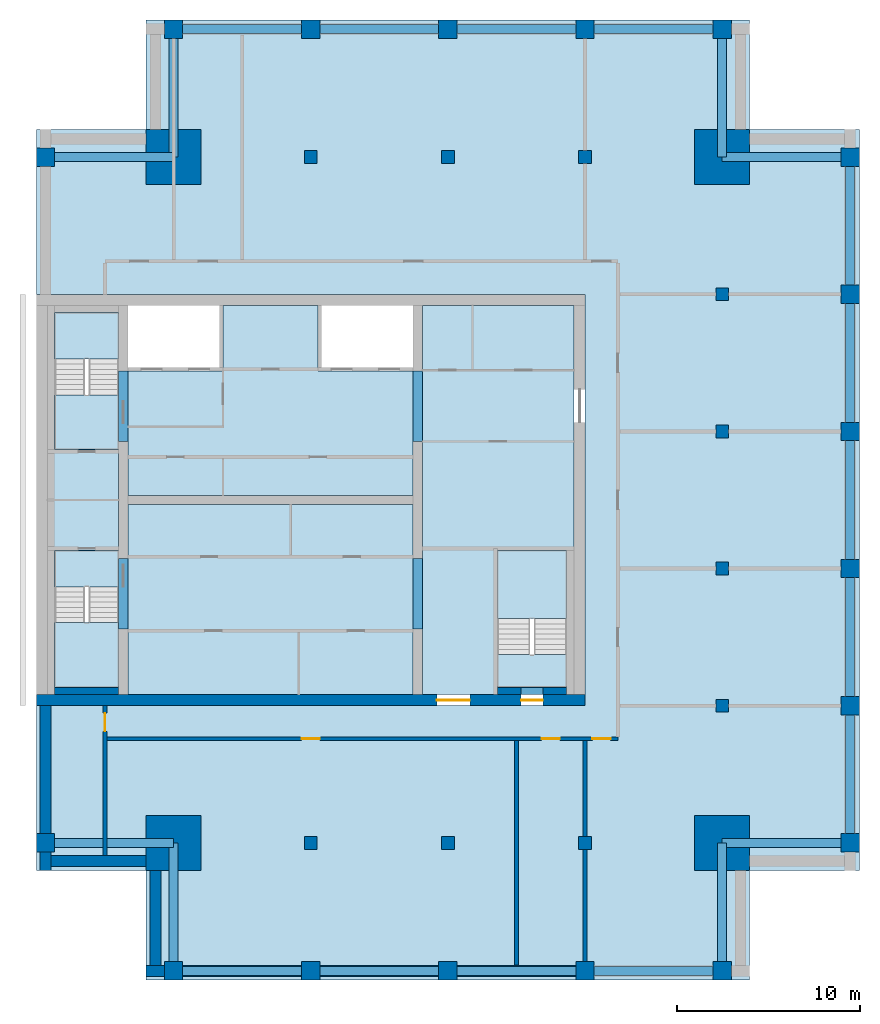
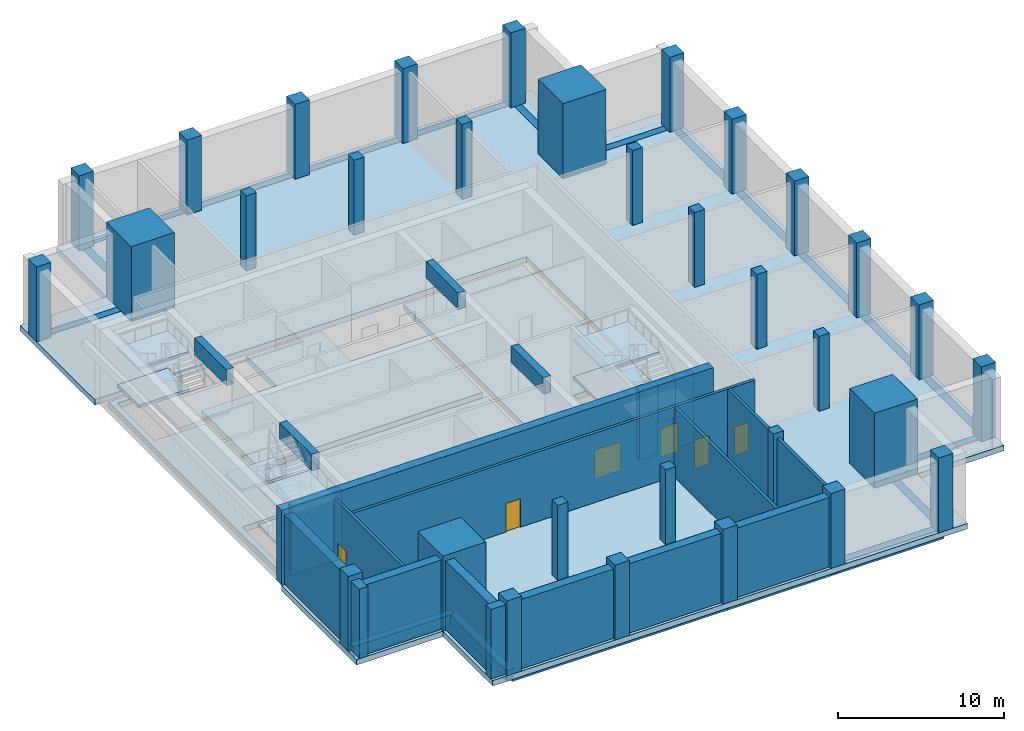
# One storey, part 1 of 8: 32 columns, 26 beams, 17 walls, 14 slabs, 6 doors, 6 openings, 3 elements without a shape of their own.
"""IFC4 building model written with IfcOpenShell, lengths in metres."""

from ifc_helpers import new_model, si_unit, direction, frame, frame_2d, origin, origin_2d, place, context, subcontext, project, spatial, polyline, rectangle, outline, extrude, material, layer, layer_set, material_profile, profile_set, type_object, element, fill, aggregate, save


model = new_model("IFC4")

# Units and contexts
model_context = context("Model", 3, precision=1e-05, world=origin(), true_north=direction((0.0, 1.0)))
body_context = subcontext(model_context, "Body", "Model", "MODEL_VIEW")
ifc_project = project(units=[si_unit("LENGTHUNIT", "METRE"), si_unit("AREAUNIT", "SQUARE_METRE"), si_unit("VOLUMEUNIT", "CUBIC_METRE"), si_unit("PLANEANGLEUNIT", "RADIAN"), si_unit("MASSUNIT", "GRAM", prefix="KILO")], contexts=[model_context])

# Site, building, storey
site_placement = place(None, origin())
site = spatial("IfcSite", under=ifc_project, at=site_placement, CompositionType="ELEMENT")
building_placement = place(site_placement, origin())
building = spatial("IfcBuilding", under=site, at=building_placement, Name="Tamorin Gate", CompositionType="ELEMENT")
storey_placement = place(building_placement, frame((0.0, 0.0, 314.699951171875)))
storey = spatial("IfcBuildingStorey", under=building, at=storey_placement, Name="L77", CompositionType="ELEMENT", Elevation=314.699951171875)

# Columns
ifc_material_1 = material(Name="Concrete C50/60", Category="concrete")
ifc_material_profile_1 = material_profile(ifc_material_1, rectangle(XDim=1.0, YDim=1.0, at=origin_2d()), Name="RC 1000x1000")
ifc_profile_set_1 = profile_set([ifc_material_profile_1], Name="Concrete C50/60")
column_type_1 = type_object("IfcColumnType", Name="RC column 1000x1000 C50/60", PredefinedType="COLUMN", material=ifc_profile_set_1)
for number, where, z_axis, x_axis, name in (
    (1, (30.5, 52.5, 0.0), (0.0, 0.0, 1.0), (1.0, 0.0, 0.0), "Ring column L77"),
    (2, (30.5, 90.0, 0.0), (0.0, 0.0, 1.0), (1.0, 0.0, 0.0), "Ring column L77"),
    (3, (37.5, 45.5, 0.0), (0.0, 0.0, 1.0), (1.0, 0.0, 0.0), "Ring column L77"),
    (4, (37.5, 97.0, 0.0), (0.0, 0.0, 1.0), (1.0, 0.0, 0.0), "Ring column L77"),
    (5, (45.0, 45.5, 0.0), (0.0, 0.0, 1.0), (1.0, 0.0, 0.0), "Ring column L77"),
    (6, (45.0, 97.0, 0.0), (0.0, 0.0, 1.0), (1.0, 0.0, 0.0), "Ring column L77"),
    (7, (52.5, 45.5, 0.0), (0.0, 0.0, 1.0), (1.0, 0.0, 0.0), "Ring column L77"),
    (8, (52.5, 97.0, 0.0), (0.0, 0.0, 1.0), (1.0, 0.0, 0.0), "Ring column L77"),
    (9, (60.0, 45.5, 0.0), (0.0, 0.0, 1.0), (1.0, 0.0, 0.0), "Ring column L77"),
    (10, (60.0, 97.0, 0.0), (0.0, 0.0, 1.0), (1.0, 0.0, 0.0), "Ring column L77"),
    (11, (67.5, 45.5, 0.0), (0.0, 0.0, 1.0), (1.0, 0.0, 0.0), "Ring column L77"),
    (12, (67.5, 97.0, 0.0), (0.0, 0.0, 1.0), (1.0, 0.0, 0.0), "Ring column L77"),
    (13, (74.5, 52.5, 0.0), (0.0, 0.0, 1.0), (1.0, 0.0, 0.0), "Ring column L77"),
    (14, (74.5, 60.0, 0.0), (0.0, 0.0, 1.0), (1.0, 0.0, 0.0), "Ring column L77"),
    (15, (74.5, 67.5, 0.0), (0.0, 0.0, 1.0), (1.0, 0.0, 0.0), "Ring column L77"),
    (16, (74.5, 75.0, 0.0), (0.0, 0.0, 1.0), (1.0, 0.0, 0.0), "Ring column L77"),
    (17, (74.5, 82.5, 0.0), (0.0, 0.0, 1.0), (1.0, 0.0, 0.0), "Ring column L77"),
    (18, (74.5, 90.0, 0.0), (0.0, 0.0, 1.0), (1.0, 0.0, 0.0), "Ring column L77"),
):
    element("IfcColumn", number, at=place(storey_placement, frame(where, z_axis=z_axis, x_axis=x_axis)), inside=storey, type_object=column_type_1, Name=name, PredefinedType="COLUMN", context=body_context, shape_type="SweptSolid", body=[
        extrude(rectangle(XDim=1.0, YDim=1.0, at=origin_2d()), origin(), (0.0, 0.0, 1.0), 5.5),
    ])
ifc_material_profile_2 = material_profile(ifc_material_1, rectangle(XDim=3.0, YDim=3.0, at=origin_2d()), Name="RC 3000x3000")
ifc_profile_set_2 = profile_set([ifc_material_profile_2], Name="Concrete C50/60")
column_type_2 = type_object("IfcColumnType", Name="RC column 3000x3000 C50/60", PredefinedType="COLUMN", material=ifc_profile_set_2)
for number, where, z_axis, x_axis, name in (
    (19, (37.5, 52.5, 0.0), (0.0, 0.0, 1.0), (1.0, 0.0, 0.0), "Mega column SW L77"),
    (20, (67.5, 52.5, 0.0), (0.0, 0.0, 1.0), (1.0, 0.0, 0.0), "Mega column SE L77"),
    (21, (37.5, 90.0, 0.0), (0.0, 0.0, 1.0), (1.0, 0.0, 0.0), "Mega column NW L77"),
    (22, (67.5, 90.0, 0.0), (0.0, 0.0, 1.0), (1.0, 0.0, 0.0), "Mega column NE L77"),
):
    element("IfcColumn", number, at=place(storey_placement, frame(where, z_axis=z_axis, x_axis=x_axis)), inside=storey, type_object=column_type_2, Name=name, PredefinedType="COLUMN", context=body_context, shape_type="SweptSolid", body=[
        extrude(rectangle(XDim=3.0, YDim=3.0, at=origin_2d()), origin(), (0.0, 0.0, 1.0), 5.5),
    ])
ifc_material_profile_3 = material_profile(ifc_material_1, rectangle(XDim=0.699951171875, YDim=0.699951171875, at=origin_2d()), Name="RC 700x700")
ifc_profile_set_3 = profile_set([ifc_material_profile_3], Name="Concrete C50/60")
column_type_3 = type_object("IfcColumnType", Name="RC column 700x700 C50/60", PredefinedType="COLUMN", material=ifc_profile_set_3)
for number, where, z_axis, x_axis, name in (
    (23, (45.0, 52.5, 0.0), (0.0, 0.0, 1.0), (1.0, 0.0, 0.0), "Interior column L77"),
    (24, (45.0, 90.0, 0.0), (0.0, 0.0, 1.0), (1.0, 0.0, 0.0), "Interior column L77"),
    (25, (52.5, 52.5, 0.0), (0.0, 0.0, 1.0), (1.0, 0.0, 0.0), "Interior column L77"),
    (26, (52.5, 90.0, 0.0), (0.0, 0.0, 1.0), (1.0, 0.0, 0.0), "Interior column L77"),
    (27, (60.0, 52.5, 0.0), (0.0, 0.0, 1.0), (1.0, 0.0, 0.0), "Interior column L77"),
    (28, (60.0, 90.0, 0.0), (0.0, 0.0, 1.0), (1.0, 0.0, 0.0), "Interior column L77"),
    (29, (67.5, 60.0, 0.0), (0.0, 0.0, 1.0), (1.0, 0.0, 0.0), "Interior column L77"),
    (30, (67.5, 67.5, 0.0), (0.0, 0.0, 1.0), (1.0, 0.0, 0.0), "Interior column L77"),
    (31, (67.5, 75.0, 0.0), (0.0, 0.0, 1.0), (1.0, 0.0, 0.0), "Interior column L77"),
    (32, (67.5, 82.5, 0.0), (0.0, 0.0, 1.0), (1.0, 0.0, 0.0), "Interior column L77"),
):
    element("IfcColumn", number, at=place(storey_placement, frame(where, z_axis=z_axis, x_axis=x_axis)), inside=storey, type_object=column_type_3, Name=name, PredefinedType="COLUMN", context=body_context, shape_type="SweptSolid", body=[
        extrude(rectangle(XDim=0.699951171875, YDim=0.699951171875, at=origin_2d()), origin(), (0.0, 0.0, 1.0), 5.5),
    ])

# Beams
ifc_material_profile_4 = material_profile(ifc_material_1, rectangle(XDim=0.5, YDim=1.199951171875, at=origin_2d()), Name="RC 500x1200")
ifc_profile_set_4 = profile_set([ifc_material_profile_4], Name="Concrete C50/60")
beam_type_1 = type_object("IfcBeamType", Name="RC coupling beam 500x1200 C50/60", PredefinedType="BEAM", material=ifc_profile_set_4)
for number, where, z_axis, x_axis, name in (
    (33, (34.75, 64.199951171875, 4.900146484375), (0.0, 1.0, 0.0), (-1.0, 0.0, 0.0), "Coupling beam L77"),
    (34, (34.75, 74.449951171875, 4.900146484375), (0.0, 1.0, 0.0), (-1.0, 0.0, 0.0), "Coupling beam L77"),
    (35, (50.85009765625, 64.199951171875, 4.900146484375), (0.0, 1.0, 0.0), (-1.0, 0.0, 0.0), "Coupling beam L77"),
    (36, (50.85009765625, 74.449951171875, 4.900146484375), (0.0, 1.0, 0.0), (-1.0, 0.0, 0.0), "Coupling beam L77"),
):
    element("IfcBeam", number, at=place(storey_placement, frame(where, z_axis=z_axis, x_axis=x_axis)), inside=storey, type_object=beam_type_1, Name=name, PredefinedType="BEAM", context=body_context, shape_type="SweptSolid", body=[
        extrude(rectangle(XDim=0.5, YDim=1.199951171875, at=origin_2d()), origin(), (0.0, 0.0, 1.0), 3.85009765625),
    ])
ifc_material_profile_5 = material_profile(ifc_material_1, rectangle(XDim=0.5, YDim=0.75, at=origin_2d()), Name="RC 500x750")
ifc_profile_set_5 = profile_set([ifc_material_profile_5], Name="Concrete C50/60")
beam_type_2 = type_object("IfcBeamType", Name="RC spandrel 500x750 C50/60", PredefinedType="BEAM", material=ifc_profile_set_5)
for number, where, z_axis, x_axis, name in (
    (37, (37.5, 45.5, -0.375), (1.0, 0.0, 0.0), (0.0, 1.0, 0.0), "Spandrel beam L77"),
    (38, (45.0, 45.5, -0.375), (1.0, 0.0, 0.0), (0.0, 1.0, 0.0), "Spandrel beam L77"),
    (39, (52.5, 45.5, -0.375), (1.0, 0.0, 0.0), (0.0, 1.0, 0.0), "Spandrel beam L77"),
    (40, (60.0, 45.5, -0.375), (1.0, 0.0, 0.0), (0.0, 1.0, 0.0), "Spandrel beam L77"),
    (41, (74.5, 52.5, -0.375), (0.0, 1.0, 0.0), (-1.0, 0.0, 0.0), "Spandrel beam L77"),
    (42, (74.5, 60.0, -0.375), (0.0, 1.0, 0.0), (-1.0, 0.0, 0.0), "Spandrel beam L77"),
    (43, (74.5, 67.5, -0.375), (0.0, 1.0, 0.0), (-1.0, 0.0, 0.0), "Spandrel beam L77"),
    (44, (74.5, 75.0, -0.375), (0.0, 1.0, 0.0), (-1.0, 0.0, 0.0), "Spandrel beam L77"),
    (45, (74.5, 82.5, -0.375), (0.0, 1.0, 0.0), (-1.0, 0.0, 0.0), "Spandrel beam L77"),
    (46, (67.5, 97.0, -0.375), (-1.0, 0.0, 0.0), (0.0, -1.0, 0.0), "Spandrel beam L77"),
    (47, (60.0, 97.0, -0.375), (-1.0, 0.0, 0.0), (0.0, -1.0, 0.0), "Spandrel beam L77"),
    (48, (52.5, 97.0, -0.375), (-1.0, 0.0, 0.0), (0.0, -1.0, 0.0), "Spandrel beam L77"),
    (49, (45.0, 97.0, -0.375), (-1.0, 0.0, 0.0), (0.0, -1.0, 0.0), "Spandrel beam L77"),
):
    element("IfcBeam", number, at=place(storey_placement, frame(where, z_axis=z_axis, x_axis=x_axis)), inside=storey, type_object=beam_type_2, Name=name, PredefinedType="BEAM", context=body_context, shape_type="SweptSolid", body=[
        extrude(rectangle(XDim=0.5, YDim=0.75, at=origin_2d()), origin(), (0.0, 0.0, 1.0), 7.5),
    ])
for number, where, z_axis, x_axis, name in (
    (50, (37.5, 52.5, -0.375), (-1.0, 0.0, 0.0), (0.0, -1.0, 0.0), "Corner tie beam L77"),
    (51, (37.5, 52.5, -0.375), (0.0, -1.0, 0.0), (1.0, 0.0, 0.0), "Corner tie beam L77"),
    (52, (67.5, 52.5, -0.375), (0.0, -1.0, 0.0), (1.0, 0.0, 0.0), "Corner tie beam L77"),
    (53, (67.5, 52.5, -0.375), (1.0, 0.0, 0.0), (0.0, 1.0, 0.0), "Corner tie beam L77"),
    (54, (37.5, 90.0, -0.375), (-1.0, 0.0, 0.0), (0.0, -1.0, 0.0), "Corner tie beam L77"),
    (55, (37.5, 90.0, -0.375), (0.0, 1.0, 0.0), (-1.0, 0.0, 0.0), "Corner tie beam L77"),
    (56, (67.5, 90.0, -0.375), (0.0, 1.0, 0.0), (-1.0, 0.0, 0.0), "Corner tie beam L77"),
    (57, (67.5, 90.0, -0.375), (1.0, 0.0, 0.0), (0.0, 1.0, 0.0), "Corner tie beam L77"),
):
    element("IfcBeam", number, at=place(storey_placement, frame(where, z_axis=z_axis, x_axis=x_axis)), inside=storey, type_object=beam_type_2, Name=name, PredefinedType="BEAM", context=body_context, shape_type="SweptSolid", body=[
        extrude(rectangle(XDim=0.5, YDim=0.75, at=origin_2d()), origin(), (0.0, 0.0, 1.0), 7.0),
    ])
ifc_material_profile_6 = material_profile(ifc_material_1, rectangle(XDim=0.39990234375, YDim=1.0, at=origin_2d()))
ifc_profile_set_6 = profile_set([ifc_material_profile_6], Name="Concrete C50/60")
beam_type_3 = type_object("IfcBeamType", Name="Stair lintel 400x1000 C50/60", PredefinedType="BEAM", material=ifc_profile_set_6)
beam_placement = place(storey_placement, frame((56.5, 60.800048828125, 2.739990234375), z_axis=(1.0, 0.0, 0.0), x_axis=(0.0, 1.0, 0.0)))
element("IfcBeam", 58, at=beam_placement, inside=storey, type_object=beam_type_3, Name="Stair lintel", PredefinedType="BEAM", context=body_context, shape_type="SweptSolid", body=[
    extrude(rectangle(XDim=0.39990234375, YDim=1.0, at=origin_2d()), origin(), (0.0, 0.0, 1.0), 1.199951171875),
])

# Slabs
ifc_material_2 = material(Name="Concrete C40/50", Category="concrete")
ifc_layer_1 = layer(ifc_material_2, 0.409912109375)
ifc_layer_set_1 = layer_set([ifc_layer_1], Name="Core floor slab 410 C40/50")
slab_type_1 = type_object("IfcSlabType", Name="Core floor slab 410 C40/50", PredefinedType="FLOOR", material=ifc_layer_set_1)
slab_1_placement = place(storey_placement, frame((0.0, 0.0, -0.409912109375)))
element("IfcSlab", 59, at=slab_1_placement, inside=storey, type_object=slab_type_1, Name="Core floor L77", PredefinedType="FLOOR", context=body_context, shape_type="SweptSolid", body=[
    extrude(outline(polyline([(51.10009765625, 81.89990234375), (59.39990234375, 81.89990234375), (59.39990234375, 60.60009765625), (51.10009765625, 60.60009765625), (51.10009765625, 81.89990234375)]), holes=[polyline([(55.199951171875, 62.800048828125), (59.0, 62.800048828125), (59.0, 68.5), (55.199951171875, 68.5), (55.199951171875, 62.800048828125)])]), origin(), (0.0, 0.0, 1.0), 0.409912109375),
])
slab_2_placement = place(storey_placement, frame((0.0, 0.0, -0.409912109375)))
element("IfcSlab", 60, at=slab_2_placement, inside=storey, type_object=slab_type_1, Name="Core floor L77", PredefinedType="FLOOR", context=body_context, shape_type="SweptSolid", body=[
    extrude(outline(polyline([(50.60009765625, 71.0), (50.60009765625, 60.60009765625), (35.0, 60.60009765625), (35.0, 71.0), (50.60009765625, 71.0)])), origin(), (0.0, 0.0, 1.0), 0.409912109375),
])
slab_3_placement = place(storey_placement, frame((0.0, 0.0, -0.409912109375)))
element("IfcSlab", 61, at=slab_3_placement, inside=storey, type_object=slab_type_1, Name="Core floor L77", PredefinedType="FLOOR", context=body_context, shape_type="SweptSolid", body=[
    extrude(outline(polyline([(40.199951171875, 78.300048828125), (40.199951171875, 81.89990234375), (45.39990234375, 81.89990234375), (45.39990234375, 78.300048828125), (50.60009765625, 78.300048828125), (50.60009765625, 71.5), (35.0, 71.5), (35.0, 78.300048828125), (40.199951171875, 78.300048828125)])), origin(), (0.0, 0.0, 1.0), 0.409912109375),
])
slab_4_placement = place(storey_placement, frame((0.0, 0.0, -0.409912109375)))
element("IfcSlab", 62, at=slab_4_placement, inside=storey, type_object=slab_type_1, Name="Core floor L77", PredefinedType="FLOOR", context=body_context, shape_type="SweptSolid", body=[
    extrude(outline(polyline([(34.5, 60.60009765625), (30.60009765625, 60.60009765625), (30.60009765625, 81.89990234375), (34.5, 81.89990234375), (34.5, 81.5), (31.0, 81.5), (31.0, 77.0), (34.5, 77.0), (34.5, 66.5), (31.0, 66.5), (31.0, 61.0), (34.5, 61.0), (34.5, 60.60009765625)])), origin(), (0.0, 0.0, 1.0), 0.409912109375),
])

# Stair, slabs
stair_type = type_object("IfcStairType", Name="Exit stair", PredefinedType="HALF_TURN_STAIR", material=ifc_material_2)
stair_1_placement = place(storey_placement, origin())
stair_1 = element("IfcStair", 63, at=stair_1_placement, inside=storey, type_object=stair_type, Name="L77 stair ST1", PredefinedType="HALF_TURN_STAIR")
ifc_layer_2 = layer(ifc_material_2, 0.199951171875)
ifc_layer_set_2 = layer_set([ifc_layer_2], Name="Exit stair landing 200")
slab_type_2 = type_object("IfcSlabType", Name="Exit stair landing 200", PredefinedType="LANDING", material=ifc_layer_set_2)
slab_5_placement = place(storey_placement, frame((0.0, 0.0, 1.175048828125)))
slab_5 = element("IfcSlab", 64, at=slab_5_placement, type_object=slab_type_2, Name="ST1 landing 1", PredefinedType="LANDING", context=body_context, shape_type="SweptSolid", body=[
    extrude(outline(polyline([(31.0, 64.5400390625), (31.0, 61.0), (34.5, 61.0), (34.5, 64.5400390625), (31.0, 64.5400390625)])), origin(), (0.0, 0.0, 1.0), 0.199951171875),
])
slab_6_placement = place(storey_placement, frame((0.0, 0.0, 2.550048828125)))
slab_6 = element("IfcSlab", 65, at=slab_6_placement, type_object=slab_type_2, Name="ST1 landing 2", PredefinedType="LANDING", context=body_context, shape_type="SweptSolid", body=[
    extrude(outline(polyline([(31.0, 68.5), (31.0, 66.5), (34.5, 66.5), (34.5, 68.5), (31.0, 68.5)])), origin(), (0.0, 0.0, 1.0), 0.199951171875),
])
slab_7_placement = place(storey_placement, frame((0.0, 0.0, 3.925048828125)))
slab_7 = element("IfcSlab", 66, at=slab_7_placement, type_object=slab_type_2, Name="ST1 landing 3", PredefinedType="LANDING", context=body_context, shape_type="SweptSolid", body=[
    extrude(outline(polyline([(31.0, 64.5400390625), (31.0, 61.0), (34.5, 61.0), (34.5, 64.5400390625), (31.0, 64.5400390625)])), origin(), (0.0, 0.0, 1.0), 0.199951171875),
])
aggregate(stair_1, [slab_5, slab_6, slab_7])

stair_2_placement = place(storey_placement, origin())
stair_2 = element("IfcStair", 67, at=stair_2_placement, inside=storey, type_object=stair_type, Name="L77 stair ST2", PredefinedType="HALF_TURN_STAIR")
slab_8_placement = place(storey_placement, frame((0.0, 0.0, 1.175048828125)))
slab_8 = element("IfcSlab", 68, at=slab_8_placement, type_object=slab_type_2, Name="ST2 landing 1", PredefinedType="LANDING", context=body_context, shape_type="SweptSolid", body=[
    extrude(outline(polyline([(34.5, 78.9599609375), (34.5, 81.5), (31.0, 81.5), (31.0, 78.9599609375), (34.5, 78.9599609375)])), origin(), (0.0, 0.0, 1.0), 0.199951171875),
])
slab_9_placement = place(storey_placement, frame((0.0, 0.0, 2.550048828125)))
slab_9 = element("IfcSlab", 69, at=slab_9_placement, type_object=slab_type_2, Name="ST2 landing 2", PredefinedType="LANDING", context=body_context, shape_type="SweptSolid", body=[
    extrude(outline(polyline([(34.5, 74.0), (34.5, 77.0), (31.0, 77.0), (31.0, 74.0), (34.5, 74.0)])), origin(), (0.0, 0.0, 1.0), 0.199951171875),
])
slab_10_placement = place(storey_placement, frame((0.0, 0.0, 3.925048828125)))
slab_10 = element("IfcSlab", 70, at=slab_10_placement, type_object=slab_type_2, Name="ST2 landing 3", PredefinedType="LANDING", context=body_context, shape_type="SweptSolid", body=[
    extrude(outline(polyline([(34.5, 78.9599609375), (34.5, 81.5), (31.0, 81.5), (31.0, 78.9599609375), (34.5, 78.9599609375)])), origin(), (0.0, 0.0, 1.0), 0.199951171875),
])
aggregate(stair_2, [slab_8, slab_9, slab_10])

stair_3_placement = place(storey_placement, origin())
stair_3 = element("IfcStair", 71, at=stair_3_placement, inside=storey, type_object=stair_type, Name="L77 stair ST3", PredefinedType="HALF_TURN_STAIR")
slab_11_placement = place(storey_placement, frame((0.0, 0.0, 1.175048828125)))
slab_11 = element("IfcSlab", 72, at=slab_11_placement, type_object=slab_type_2, Name="ST3 landing 1", PredefinedType="LANDING", context=body_context, shape_type="SweptSolid", body=[
    extrude(outline(polyline([(59.0, 64.760009765625), (59.0, 68.5), (55.199951171875, 68.5), (55.199951171875, 64.760009765625), (59.0, 64.760009765625)])), origin(), (0.0, 0.0, 1.0), 0.199951171875),
])
slab_12_placement = place(storey_placement, frame((0.0, 0.0, 2.550048828125)))
slab_12 = element("IfcSlab", 73, at=slab_12_placement, type_object=slab_type_2, Name="ST3 landing 2", PredefinedType="LANDING", context=body_context, shape_type="SweptSolid", body=[
    extrude(outline(polyline([(59.0, 61.0), (59.0, 62.800048828125), (55.199951171875, 62.800048828125), (55.199951171875, 61.0), (59.0, 61.0)])), origin(), (0.0, 0.0, 1.0), 0.199951171875),
])
slab_13_placement = place(storey_placement, frame((0.0, 0.0, 3.925048828125)))
slab_13 = element("IfcSlab", 74, at=slab_13_placement, type_object=slab_type_2, Name="ST3 landing 3", PredefinedType="LANDING", context=body_context, shape_type="SweptSolid", body=[
    extrude(outline(polyline([(59.0, 64.760009765625), (59.0, 68.5), (55.199951171875, 68.5), (55.199951171875, 64.760009765625), (59.0, 64.760009765625)])), origin(), (0.0, 0.0, 1.0), 0.199951171875),
])
aggregate(stair_3, [slab_11, slab_12, slab_13])

# Slab
ifc_material_3 = material(Name="Concrete C45/55", Category="concrete")
ifc_layer_3 = layer(ifc_material_3, 0.39990234375)
ifc_layer_set_3 = layer_set([ifc_layer_3], Name="Floor slab 400 C45/55")
slab_type_3 = type_object("IfcSlabType", Name="Floor slab 400 C45/55", PredefinedType="FLOOR", material=ifc_layer_set_3)
slab_14_placement = place(storey_placement, frame((0.0, 0.0, -0.39990234375)))
element("IfcSlab", 75, at=slab_14_placement, inside=storey, type_object=slab_type_3, Name="Floor L77", PredefinedType="FLOOR", context=body_context, shape_type="SweptSolid", body=[
    extrude(outline(polyline([(30.0, 91.5), (36.0, 91.5), (36.0, 97.5), (69.0, 97.5), (69.0, 91.5), (75.0, 91.5), (75.0, 51.0), (69.0, 51.0), (69.0, 45.0), (36.0, 45.0), (36.0, 51.0), (30.0, 51.0), (30.0, 60.0), (60.0, 60.0), (60.0, 82.5), (30.0, 82.5), (30.0, 91.5)])), origin(), (0.0, 0.0, 1.0), 0.39990234375),
])

# Walls
ifc_material_4 = material(Name="Aluminium louvres in concrete frame", Category="concrete")
ifc_layer_4 = layer(ifc_material_4, 0.60009765625)
ifc_layer_set_4 = layer_set([ifc_layer_4], Name="Louvred plant wall 600")
wall_type_1 = type_object("IfcWallType", Name="Louvred plant wall 600", PredefinedType="ELEMENTEDWALL", material=ifc_layer_set_4)
wall_1_placement = place(storey_placement, frame((36.0, 45.5, 0.0), z_axis=(0.0, 0.0, 1.0), x_axis=(1.0, 0.0, 0.0)))
element("IfcWall", 76, at=wall_1_placement, inside=storey, type_object=wall_type_1, Name="Louvred plant wall", PredefinedType="ELEMENTEDWALL", context=body_context, shape_type="SweptSolid", body=[
    extrude(rectangle(XDim=1.0, YDim=0.60009765625, at=frame_2d((0.5, 0.0))), origin(), (0.0, 0.0, 1.0), 5.10009765625),
])
for number, where, z_axis, x_axis, name in (
    (77, (38.0, 45.5, 0.0), (0.0, 0.0, 1.0), (1.0, 0.0, 0.0), "Louvred plant wall"),
    (78, (45.5, 45.5, 0.0), (0.0, 0.0, 1.0), (1.0, 0.0, 0.0), "Louvred plant wall"),
    (79, (53.0, 45.5, 0.0), (0.0, 0.0, 1.0), (1.0, 0.0, 0.0), "Louvred plant wall"),
):
    element("IfcWall", number, at=place(storey_placement, frame(where, z_axis=z_axis, x_axis=x_axis)), inside=storey, type_object=wall_type_1, Name=name, PredefinedType="ELEMENTEDWALL", context=body_context, shape_type="SweptSolid", body=[
        extrude(rectangle(XDim=6.5, YDim=0.60009765625, at=frame_2d((3.25, 0.0))), origin(), (0.0, 0.0, 1.0), 5.10009765625),
    ])
wall_2_placement = place(storey_placement, frame((30.5, 60.0, 0.0), z_axis=(0.0, 0.0, 1.0), x_axis=(0.0, -1.0, 0.0)))
element("IfcWall", 80, at=wall_2_placement, inside=storey, type_object=wall_type_1, Name="Louvred plant wall", PredefinedType="ELEMENTEDWALL", context=body_context, shape_type="SweptSolid", body=[
    extrude(rectangle(XDim=7.0, YDim=0.60009765625, at=frame_2d((3.5, 0.0))), origin(), (0.0, 0.0, 1.0), 5.10009765625),
])
wall_3_placement = place(storey_placement, frame((30.5, 52.0, 0.0), z_axis=(0.0, 0.0, 1.0), x_axis=(0.0, -1.0, 0.0)))
element("IfcWall", 81, at=wall_3_placement, inside=storey, type_object=wall_type_1, Name="Louvred plant wall", PredefinedType="ELEMENTEDWALL", context=body_context, shape_type="SweptSolid", body=[
    extrude(rectangle(XDim=1.0, YDim=0.60009765625, at=frame_2d((0.5, 0.0))), origin(), (0.0, 0.0, 1.0), 5.10009765625),
])
for number, where, z_axis, x_axis, name in (
    (82, (30.800048828125, 51.5, 0.0), (0.0, 0.0, 1.0), (1.0, 0.0, 0.0), "Louvred plant wall"),
    (83, (36.5, 51.0, 0.0), (0.0, 0.0, 1.0), (0.0, -1.0, 0.0), "Louvred plant wall"),
):
    element("IfcWall", number, at=place(storey_placement, frame(where, z_axis=z_axis, x_axis=x_axis)), inside=storey, type_object=wall_type_1, Name=name, PredefinedType="ELEMENTEDWALL", context=body_context, shape_type="SweptSolid", body=[
        extrude(rectangle(XDim=5.199951171875, YDim=0.60009765625, at=frame_2d((2.60009765625, 0.0))), origin(), (0.0, 0.0, 1.0), 5.10009765625),
    ])

# Wall, openings, doors
ifc_material_5 = material(Name="Gypsum board partition")
ifc_layer_5 = layer(ifc_material_5, 0.199951171875)
ifc_layer_set_5 = layer_set([ifc_layer_5], Name="Plant and refuge wall 200")
wall_type_2 = type_object("IfcWallType", Name="Plant and refuge wall 200", PredefinedType="PARTITIONING", material=ifc_layer_set_5)
wall_4_placement = place(storey_placement, frame((33.85009765625, 58.199951171875, 0.0), z_axis=(0.0, 0.0, 1.0), x_axis=(1.0, 0.0, 0.0)))
wall_4 = element("IfcWall", 84, at=wall_4_placement, inside=storey, type_object=wall_type_2, Name="Plant and refuge wall 200", PredefinedType="PARTITIONING", context=body_context, shape_type="SweptSolid", body=[
    extrude(rectangle(XDim=27.949951171875, YDim=0.199951171875, at=frame_2d((13.97509765625, 0.0))), origin(), (0.0, 0.0, 1.0), 5.10009765625),
])
opening_1_placement = place(wall_4_placement, frame((10.64990234375, 0.0, 0.0)))
opening_1 = element("IfcOpeningElement", 85, at=opening_1_placement, cuts=wall_4, Name="Opening DPL4002", PredefinedType="OPENING", context=body_context, shape_type="SweptSolid", body=[
    extrude(rectangle(XDim=1.0, YDim=2.10009765625, at=frame_2d((0.5, 1.050048828125))), frame((0.0, 0.10986328125, 0.0), z_axis=(0.0, -1.0, 0.0), x_axis=(1.0, 0.0, 0.0)), (0.0, 0.0, 1.0), 0.219970703125),
])
opening_2_placement = place(wall_4_placement, frame((23.77490234375, 0.0, 0.0)))
opening_2 = element("IfcOpeningElement", 86, at=opening_2_placement, cuts=wall_4, Name="Opening DPL4003", PredefinedType="OPENING", context=body_context, shape_type="SweptSolid", body=[
    extrude(rectangle(XDim=1.0, YDim=2.10009765625, at=frame_2d((0.5, 1.050048828125))), frame((0.0, 0.10986328125, 0.0), z_axis=(0.0, -1.0, 0.0), x_axis=(1.0, 0.0, 0.0)), (0.0, 0.0, 1.0), 0.219970703125),
])
opening_3_placement = place(wall_4_placement, frame((26.550048828125, 0.0, 0.0)))
opening_3 = element("IfcOpeningElement", 87, at=opening_3_placement, cuts=wall_4, Name="Opening DPL4004", PredefinedType="OPENING", context=body_context, shape_type="SweptSolid", body=[
    extrude(rectangle(XDim=1.0, YDim=2.10009765625, at=frame_2d((0.5, 1.050048828125))), frame((0.0, 0.10986328125, 0.0), z_axis=(0.0, -1.0, 0.0), x_axis=(1.0, 0.0, 0.0)), (0.0, 0.0, 1.0), 0.219970703125),
])
ifc_material_6 = material(Name="Timber door leaf", Category="wood")
door_type_1 = type_object("IfcDoorType", Name="Door 1000 x 2100 FD60", OperationType="NOTDEFINED", PredefinedType="DOOR", material=ifc_material_6)
door_1_placement = place(opening_1_placement, origin())
door_1 = element("IfcDoor", 88, at=door_1_placement, inside=storey, type_object=door_type_1, Name="Door DPL4002", OperationType="SINGLE_SWING_RIGHT", OverallHeight=2.10009765625, OverallWidth=1.0, PredefinedType="DOOR", context=body_context, shape_type="SweptSolid", body=[
    extrude(rectangle(XDim=1.0, YDim=2.10009765625, at=frame_2d((0.5, 1.050048828125))), frame((0.0, 0.02490234375, 0.0), z_axis=(0.0, -1.0, 0.0), x_axis=(1.0, 0.0, 0.0)), (0.0, 0.0, 1.0), 0.050048828125),
])
fill(opening_1, door_1)
door_2_placement = place(opening_2_placement, origin())
door_2 = element("IfcDoor", 89, at=door_2_placement, inside=storey, type_object=door_type_1, Name="Door DPL4003", OperationType="SINGLE_SWING_RIGHT", OverallHeight=2.10009765625, OverallWidth=1.0, PredefinedType="DOOR", context=body_context, shape_type="SweptSolid", body=[
    extrude(rectangle(XDim=1.0, YDim=2.10009765625, at=frame_2d((0.5, 1.050048828125))), frame((0.0, 0.02490234375, 0.0), z_axis=(0.0, -1.0, 0.0), x_axis=(1.0, 0.0, 0.0)), (0.0, 0.0, 1.0), 0.050048828125),
])
fill(opening_2, door_2)
door_3_placement = place(opening_3_placement, origin())
door_3 = element("IfcDoor", 90, at=door_3_placement, inside=storey, type_object=door_type_1, Name="Door DPL4004", OperationType="SINGLE_SWING_RIGHT", OverallHeight=2.10009765625, OverallWidth=1.0, PredefinedType="DOOR", context=body_context, shape_type="SweptSolid", body=[
    extrude(rectangle(XDim=1.0, YDim=2.10009765625, at=frame_2d((0.5, 1.050048828125))), frame((0.0, 0.02490234375, 0.0), z_axis=(0.0, -1.0, 0.0), x_axis=(1.0, 0.0, 0.0)), (0.0, 0.0, 1.0), 0.050048828125),
])
fill(opening_3, door_3)

# Wall, opening, door
wall_5_placement = place(storey_placement, frame((33.75, 51.81005859375, 0.0), z_axis=(0.0, 0.0, 1.0), x_axis=(0.0, 1.0, 0.0)))
wall_5 = element("IfcWall", 91, at=wall_5_placement, inside=storey, type_object=wall_type_2, Name="Plant and refuge wall 200", PredefinedType="PARTITIONING", context=body_context, shape_type="SweptSolid", body=[
    extrude(rectangle(XDim=8.18994140625, YDim=0.199951171875, at=frame_2d((4.094970703125, 0.0))), origin(), (0.0, 0.0, 1.0), 5.10009765625),
])
opening_4_placement = place(wall_5_placement, frame((6.7900390625, 0.0, 0.0)))
opening_4 = element("IfcOpeningElement", 92, at=opening_4_placement, cuts=wall_5, Name="Opening DPL4001", PredefinedType="OPENING", context=body_context, shape_type="SweptSolid", body=[
    extrude(rectangle(XDim=1.0, YDim=2.10009765625, at=frame_2d((0.5, 1.050048828125))), frame((0.0, 0.10986328125, 0.0), z_axis=(0.0, -1.0, 0.0), x_axis=(1.0, 0.0, 0.0)), (0.0, 0.0, 1.0), 0.219970703125),
])
door_4_placement = place(opening_4_placement, origin())
door_4 = element("IfcDoor", 93, at=door_4_placement, inside=storey, type_object=door_type_1, Name="Door DPL4001", OperationType="SINGLE_SWING_RIGHT", OverallHeight=2.10009765625, OverallWidth=1.0, PredefinedType="DOOR", context=body_context, shape_type="SweptSolid", body=[
    extrude(rectangle(XDim=1.0, YDim=2.10009765625, at=frame_2d((0.5, 1.050048828125))), frame((0.0, 0.02490234375, 0.0), z_axis=(0.0, -1.0, 0.0), x_axis=(1.0, 0.0, 0.0)), (0.0, 0.0, 1.0), 0.050048828125),
])
fill(opening_4, door_4)

# Walls
wall_6_placement = place(storey_placement, frame((56.25, 45.81005859375, 0.0), z_axis=(0.0, 0.0, 1.0), x_axis=(0.0, 1.0, 0.0)))
element("IfcWall", 94, at=wall_6_placement, inside=storey, type_object=wall_type_2, Name="Plant and refuge wall 200", PredefinedType="PARTITIONING", context=body_context, shape_type="SweptSolid", body=[
    extrude(rectangle(XDim=12.2900390625, YDim=0.199951171875, at=frame_2d((6.14501953125, 0.0))), origin(), (0.0, 0.0, 1.0), 5.10009765625),
])
wall_7_placement = place(storey_placement, frame((60.0, 45.0, 0.0), z_axis=(0.0, 0.0, 1.0), x_axis=(0.0, 1.0, 0.0)))
element("IfcWall", 95, at=wall_7_placement, inside=storey, type_object=wall_type_2, Name="Plant and refuge wall 200", PredefinedType="PARTITIONING", context=body_context, shape_type="SweptSolid", body=[
    extrude(rectangle(XDim=13.10009765625, YDim=0.199951171875, at=frame_2d((6.550048828125, 0.0))), origin(), (0.0, 0.0, 1.0), 5.10009765625),
])

# Wall, openings, doors
ifc_layer_6 = layer(ifc_material_1, 0.60009765625)
ifc_layer_set_6 = layer_set([ifc_layer_6], Name="RC core wall 600 C50/60")
wall_type_3 = type_object("IfcWallType", Name="RC core wall 600 C50/60", PredefinedType="SHEAR", material=ifc_layer_set_6)
wall_8_placement = place(storey_placement, frame((30.0, 60.300048828125, 0.0), z_axis=(0.0, 0.0, 1.0), x_axis=(1.0, 0.0, 0.0)))
wall_8 = element("IfcWall", 96, at=wall_8_placement, inside=storey, type_object=wall_type_3, Name="Core wall L77", PredefinedType="SHEAR", context=body_context, shape_type="SweptSolid", body=[
    extrude(rectangle(XDim=30.0, YDim=0.60009765625, at=frame_2d((15.0, 0.0))), origin(), (0.0, 0.0, 1.0), 5.5),
])
opening_5_placement = place(wall_8_placement, frame((21.89990234375, 0.0, 0.0)))
opening_5 = element("IfcOpeningElement", 97, at=opening_5_placement, cuts=wall_8, Name="Opening DE1", PredefinedType="OPENING", context=body_context, shape_type="SweptSolid", body=[
    extrude(rectangle(XDim=1.800048828125, YDim=2.10009765625, at=frame_2d((0.89990234375, 1.050048828125))), frame((0.0, 0.31005859375, 0.0), z_axis=(0.0, -1.0, 0.0), x_axis=(1.0, 0.0, 0.0)), (0.0, 0.0, 1.0), 0.6201171875),
])
opening_6_placement = place(wall_8_placement, frame((26.5, 0.0, 0.0)))
opening_6 = element("IfcOpeningElement", 98, at=opening_6_placement, cuts=wall_8, Name="Opening DS1", PredefinedType="OPENING", context=body_context, shape_type="SweptSolid", body=[
    extrude(rectangle(XDim=1.199951171875, YDim=2.10009765625, at=frame_2d((0.60009765625, 1.050048828125))), frame((0.0, 0.31005859375, 0.0), z_axis=(0.0, -1.0, 0.0), x_axis=(1.0, 0.0, 0.0)), (0.0, 0.0, 1.0), 0.6201171875),
])
ifc_material_7 = material(Name="Steel fire door", Category="steel")
door_type_2 = type_object("IfcDoorType", Name="Lobby exit double door 1800 x 2100 EI 60", OperationType="DOUBLE_DOOR_SINGLE_SWING", PredefinedType="DOOR", material=ifc_material_7)
door_5_placement = place(opening_5_placement, origin())
door_5 = element("IfcDoor", 99, at=door_5_placement, inside=storey, type_object=door_type_2, Name="Lift lobby A exit door", OperationType="DOUBLE_DOOR_SINGLE_SWING", OverallHeight=2.10009765625, OverallWidth=1.800048828125, PredefinedType="DOOR", context=body_context, shape_type="SweptSolid", body=[
    extrude(rectangle(XDim=1.800048828125, YDim=2.10009765625, at=frame_2d((0.89990234375, 1.050048828125))), frame((0.0, 0.02490234375, 0.0), z_axis=(0.0, -1.0, 0.0), x_axis=(1.0, 0.0, 0.0)), (0.0, 0.0, 1.0), 0.050048828125),
])
fill(opening_5, door_5)
door_type_3 = type_object("IfcDoorType", Name="Stair door 1200 x 2100 EI 90", OperationType="SINGLE_SWING_LEFT", PredefinedType="DOOR", material=ifc_material_7)
door_6_placement = place(opening_6_placement, origin())
door_6 = element("IfcDoor", 100, at=door_6_placement, inside=storey, type_object=door_type_3, Name="ST3 door", OperationType="SINGLE_SWING_LEFT", OverallHeight=2.10009765625, OverallWidth=1.199951171875, PredefinedType="DOOR", context=body_context, shape_type="SweptSolid", body=[
    extrude(rectangle(XDim=1.199951171875, YDim=2.10009765625, at=frame_2d((0.60009765625, 1.050048828125))), frame((0.0, 0.02490234375, 0.0), z_axis=(0.0, -1.0, 0.0), x_axis=(1.0, 0.0, 0.0)), (0.0, 0.0, 1.0), 0.050048828125),
])
fill(opening_6, door_6)

# Walls
ifc_layer_7 = layer(ifc_material_1, 0.39990234375)
ifc_layer_set_7 = layer_set([ifc_layer_7], Name="Stair lining wall 400 EI 120 C50/60")
wall_type_4 = type_object("IfcWallType", Name="Stair lining wall 400 EI 120 C50/60", PredefinedType="SOLIDWALL", material=ifc_layer_set_7)
wall_9_placement = place(storey_placement, frame((31.0, 60.800048828125, 0.0), z_axis=(0.0, 0.0, 1.0), x_axis=(1.0, 0.0, 0.0)))
element("IfcWall", 101, at=wall_9_placement, inside=storey, type_object=wall_type_4, Name="Stair lining wall", PredefinedType="SOLIDWALL", context=body_context, shape_type="SweptSolid", body=[
    extrude(rectangle(XDim=3.5, YDim=0.39990234375, at=frame_2d((1.75, 0.0))), origin(), (0.0, 0.0, 1.0), 5.090087890625),
])
for number, where, z_axis, x_axis, name in (
    (102, (55.199951171875, 60.800048828125, 0.0), (0.0, 0.0, 1.0), (1.0, 0.0, 0.0), "Stair lining wall"),
    (103, (57.699951171875, 60.800048828125, 0.0), (0.0, 0.0, 1.0), (1.0, 0.0, 0.0), "Stair lining wall"),
):
    element("IfcWall", number, at=place(storey_placement, frame(where, z_axis=z_axis, x_axis=x_axis)), inside=storey, type_object=wall_type_4, Name=name, PredefinedType="SOLIDWALL", context=body_context, shape_type="SweptSolid", body=[
        extrude(rectangle(XDim=1.300048828125, YDim=0.39990234375, at=frame_2d((0.64990234375, 0.0))), origin(), (0.0, 0.0, 1.0), 5.090087890625),
    ])
wall_10_placement = place(storey_placement, frame((56.5, 60.800048828125, 3.239990234375), z_axis=(0.0, 0.0, 1.0), x_axis=(1.0, 0.0, 0.0)))
element("IfcWall", 104, at=wall_10_placement, inside=storey, type_object=wall_type_4, Name="Stair lining wall", PredefinedType="SOLIDWALL", context=body_context, shape_type="SweptSolid", body=[
    extrude(rectangle(XDim=1.199951171875, YDim=0.39990234375, at=frame_2d((0.60009765625, 0.0))), origin(), (0.0, 0.0, 1.0), 1.85009765625),
])

save(model, "model.ifc")
